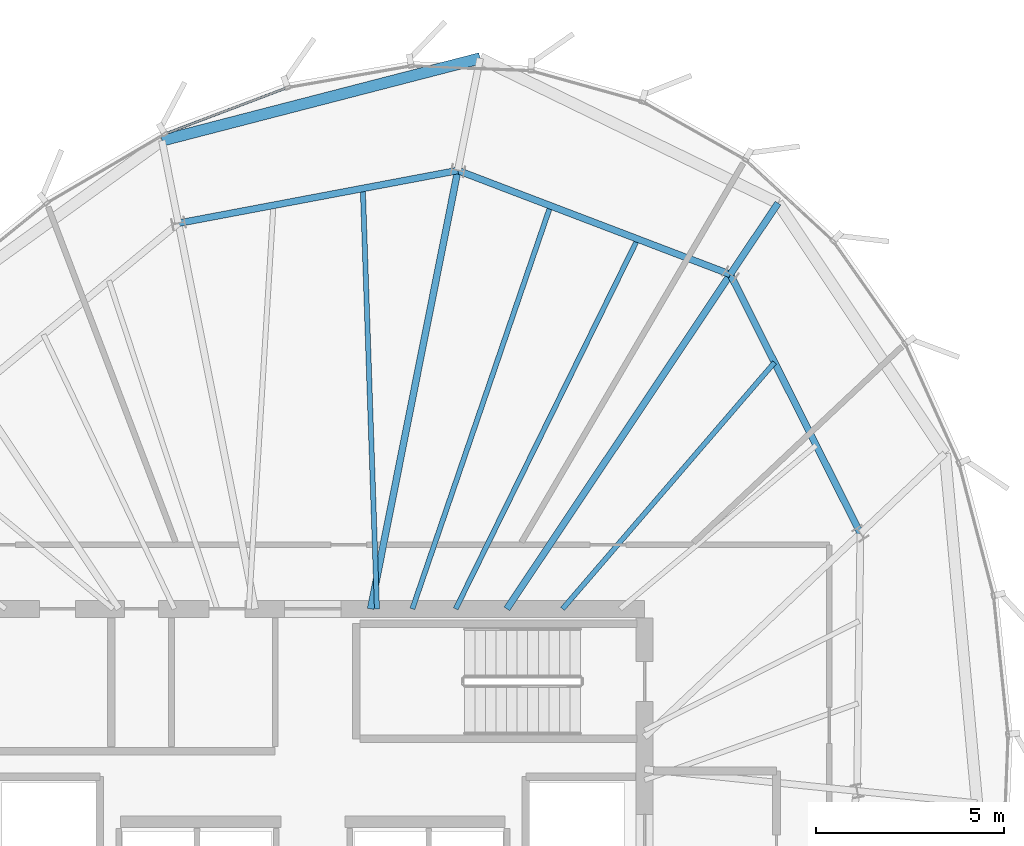
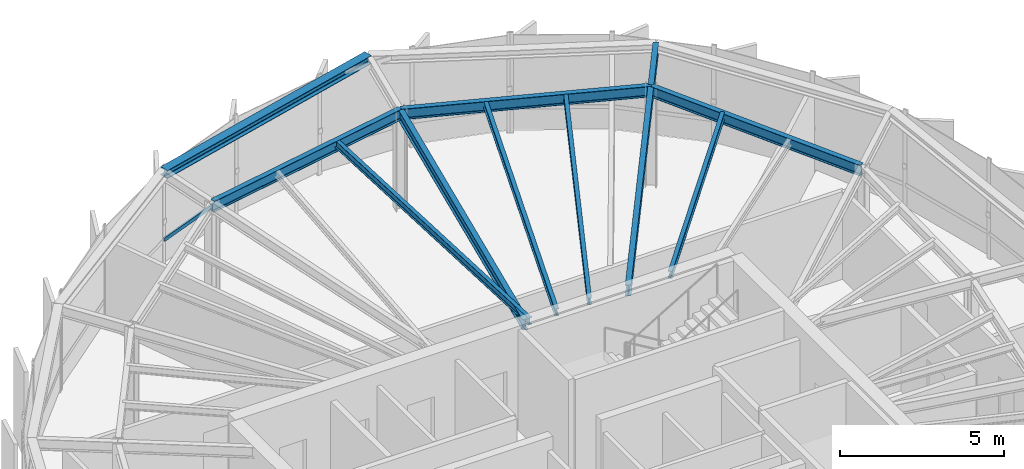
# One storey, part 16 of 25: 11 beams, 1 member, 1 element without a shape of its own.
"""IFC4 building model written with IfcOpenShell, lengths in metres."""

from ifc_helpers import new_model, si_unit, direction, frame, origin, origin_2d, place, context, subcontext, project, spatial, hollow_rectangle, i_section, extrude, source, transform, mapped, material, layer, layer_set, material_profile, profile_set, type_object, element, aggregate, save


model = new_model("IFC4")

# Units and contexts
model_context = context("Model", 3, precision=1e-05, world=origin(), true_north=direction((0.0, 1.0)))
body_context = subcontext(model_context, "Body", "Model", "MODEL_VIEW")
ifc_project = project(units=[si_unit("LENGTHUNIT", "METRE"), si_unit("AREAUNIT", "SQUARE_METRE"), si_unit("VOLUMEUNIT", "CUBIC_METRE"), si_unit("PLANEANGLEUNIT", "RADIAN"), si_unit("MASSUNIT", "GRAM", prefix="KILO"), si_unit("THERMODYNAMICTEMPERATUREUNIT", "KELVIN")], contexts=[model_context])

# Site, building, storey
site_placement = place(None, origin())
site = spatial("IfcSite", under=ifc_project, at=site_placement, CompositionType="ELEMENT")
building_placement = place(site_placement, origin())
building = spatial("IfcBuilding", under=site, at=building_placement, Name="Kethvar Cultural Tower", CompositionType="ELEMENT")
storey_placement = place(building_placement, frame((0.0, 0.0, 304.300048828125)))
storey = spatial("IfcBuildingStorey", under=building, at=storey_placement, Name="L81", CompositionType="ELEMENT", Elevation=304.300048828125)

# Beams
ifc_material_1 = material(Name="Steel S355J2", Category="steel")
ifc_material_profile_1 = material_profile(ifc_material_1, i_section(OverallWidth=0.135009765625, OverallDepth=0.27001953125, WebThickness=0.006591796875, FlangeThickness=0.01025390625, FilletRadius=0.014892578125, at=origin_2d()), Name="Steel S355J2 — IPE270")
ifc_profile_set_1 = profile_set([ifc_material_profile_1], Name="Steel S355J2 — IPE270")
beam_type_1 = type_object("IfcBeamType", Name="BM-J270", PredefinedType="JOIST", material=ifc_profile_set_1)
shared_shape_1 = source(origin(), body_context, "Body", "SweptSolid", [
    extrude(i_section(OverallWidth=0.135009765625, OverallDepth=0.27001953125, WebThickness=0.006591796875, FlangeThickness=0.01025390625, FilletRadius=0.014892578125, at=origin_2d()), origin(), (0.0, 0.0, 1.0), 8.6259765625),
])
beam_1_placement = place(storey_placement, frame((53.42333984375, 35.5, 3.597900390625), z_axis=(0.65210499689, 0.758128665222, 0.0), x_axis=(-0.758128665222, 0.65210499689, 0.0)))
element("IfcBeam", 1, at=beam_1_placement, inside=storey, type_object=beam_type_1, Name="L81 Composite Floor Joist J-02B", PredefinedType="JOIST", context=body_context, shape_type="MappedRepresentation", body=[
    mapped(shared_shape_1, transform((0.0, 0.0, 0.0), scale=1.0)),
])
shared_shape_2 = source(origin(), body_context, "Body", "SweptSolid", [
    extrude(i_section(OverallWidth=0.135009765625, OverallDepth=0.27001953125, WebThickness=0.006591796875, FlangeThickness=0.01025390625, FilletRadius=0.014892578125, at=origin_2d()), origin(), (0.0, 0.0, 1.0), 10.935791015625),
])
beam_2_placement = place(storey_placement, frame((50.5888671875, 35.5, 3.597900390625), z_axis=(0.441498236677, 0.897262117227, 0.0), x_axis=(-0.897262117227, 0.441498236677, 0.0)))
element("IfcBeam", 2, at=beam_2_placement, inside=storey, type_object=beam_type_1, Name="L81 Composite Floor Joist J-03A", PredefinedType="JOIST", context=body_context, shape_type="MappedRepresentation", body=[
    mapped(shared_shape_2, transform((0.0, 0.0, 0.0), scale=1.0)),
])
shared_shape_3 = source(origin(), body_context, "Body", "SweptSolid", [
    extrude(i_section(OverallWidth=0.135009765625, OverallDepth=0.27001953125, WebThickness=0.006591796875, FlangeThickness=0.01025390625, FilletRadius=0.014892578125, at=origin_2d()), origin(), (0.0, 0.0, 1.0), 11.304931640625),
])
beam_3_placement = place(storey_placement, frame((49.438720703125, 35.5, 3.597900390625), z_axis=(0.324179110764, 0.945995720997, 0.0), x_axis=(-0.945995720997, 0.324179110764, 0.0)))
element("IfcBeam", 3, at=beam_3_placement, inside=storey, type_object=beam_type_1, Name="L81 Composite Floor Joist J-03B", PredefinedType="JOIST", context=body_context, shape_type="MappedRepresentation", body=[
    mapped(shared_shape_3, transform((0.0, 0.0, 0.0), scale=1.0)),
])
shared_shape_4 = source(origin(), body_context, "Body", "SweptSolid", [
    extrude(i_section(OverallWidth=0.135009765625, OverallDepth=0.27001953125, WebThickness=0.006591796875, FlangeThickness=0.01025390625, FilletRadius=0.014892578125, at=origin_2d()), origin(), (0.0, 0.0, 1.0), 11.162109375),
])
beam_4_placement = place(storey_placement, frame((48.5, 35.5, 3.597900390625), z_axis=(-0.0335959409, 0.999435497046, 0.0), x_axis=(-0.999435497046, -0.0335959409, 0.0)))
element("IfcBeam", 4, at=beam_4_placement, inside=storey, type_object=beam_type_1, Name="L81 Composite Floor Joist J-04A", PredefinedType="JOIST", context=body_context, shape_type="MappedRepresentation", body=[
    mapped(shared_shape_4, transform((0.0, 0.0, 0.0), scale=1.0)),
])
ifc_material_profile_2 = material_profile(ifc_material_1, i_section(OverallWidth=0.179931640625, OverallDepth=0.39990234375, WebThickness=0.008544921875, FlangeThickness=0.013427734375, FilletRadius=0.02099609375, at=origin_2d()), Name="Steel S355J2 — IPE400")
ifc_profile_set_2 = profile_set([ifc_material_profile_2], Name="Steel S355J2 — IPE400")
beam_type_2 = type_object("IfcBeamType", Name="BM-IPE400", PredefinedType="BEAM", material=ifc_profile_set_2)
shared_shape_5 = source(origin(), body_context, "Body", "SweptSolid", [
    extrude(i_section(OverallWidth=0.179931640625, OverallDepth=0.39990234375, WebThickness=0.008544921875, FlangeThickness=0.013427734375, FilletRadius=0.02099609375, at=origin_2d()), origin(), (0.0, 0.0, 1.0), 10.673828125),
])
beam_5_placement = place(storey_placement, frame((51.945068359375, 35.5, 3.532958984375), z_axis=(0.555576086183, 0.831465701314, 0.0), x_axis=(-0.831465701314, 0.555576086183, 0.0)))
element("IfcBeam", 5, at=beam_5_placement, inside=storey, type_object=beam_type_2, Name="L81 Primary Radial Beam RB-03", PredefinedType="BEAM", context=body_context, shape_type="MappedRepresentation", body=[
    mapped(shared_shape_5, transform((0.0, 0.0, 0.0), scale=1.0)),
])
shared_shape_6 = source(origin(), body_context, "Body", "SweptSolid", [
    extrude(i_section(OverallWidth=0.179931640625, OverallDepth=0.39990234375, WebThickness=0.008544921875, FlangeThickness=0.013427734375, FilletRadius=0.02099609375, at=origin_2d()), origin(), (0.0, 0.0, 1.0), 2.275146484375),
])
beam_6_placement = place(storey_placement, frame((57.875244140625, 44.375, 3.532958984375), z_axis=(0.555517096247, 0.831505114703, 0.0), x_axis=(-0.831505114703, 0.555517096247, 0.0)))
element("IfcBeam", 6, at=beam_6_placement, inside=storey, type_object=beam_type_2, Name="L81 Perimeter Cantilever Beam RC-03", PredefinedType="BEAM", context=body_context, shape_type="MappedRepresentation", body=[
    mapped(shared_shape_6, transform((0.0, 0.0, 0.0), scale=1.0)),
])
shared_shape_7 = source(origin(), body_context, "Body", "SweptSolid", [
    extrude(i_section(OverallWidth=0.179931640625, OverallDepth=0.39990234375, WebThickness=0.008544921875, FlangeThickness=0.013427734375, FilletRadius=0.02099609375, at=origin_2d()), origin(), (0.0, 0.0, 1.0), 11.859375),
])
beam_7_placement = place(storey_placement, frame((48.33154296875, 35.5, 3.532958984375), z_axis=(0.195094640585, 0.980784421377, 0.0), x_axis=(-0.980784421377, 0.195094640585, 0.0)))
element("IfcBeam", 7, at=beam_7_placement, inside=storey, type_object=beam_type_2, Name="L81 Primary Radial Beam RB-04", PredefinedType="BEAM", context=body_context, shape_type="MappedRepresentation", body=[
    mapped(shared_shape_7, transform((0.0, 0.0, 0.0), scale=1.0)),
])
shared_shape_8 = source(origin(), body_context, "Body", "SweptSolid", [
    extrude(i_section(OverallWidth=0.179931640625, OverallDepth=0.39990234375, WebThickness=0.008544921875, FlangeThickness=0.013427734375, FilletRadius=0.02099609375, at=origin_2d()), origin(), (0.0, 0.0, 1.0), 7.68701171875),
])
beam_8_placement = place(storey_placement, frame((61.32568359375, 37.505859375, 3.532958984375), z_axis=(-0.448864354142, 0.893599905763, 0.0), x_axis=(-0.893599905763, -0.448864354142, 0.0)))
element("IfcBeam", 8, at=beam_8_placement, inside=storey, type_object=beam_type_2, Name="L81 Column Ring Tie Beam CR-02", PredefinedType="BEAM", context=body_context, shape_type="MappedRepresentation", body=[
    mapped(shared_shape_8, transform((0.0, 0.0, 0.0), scale=1.0)),
])
shared_shape_9 = source(origin(), body_context, "Body", "SweptSolid", [
    extrude(i_section(OverallWidth=0.179931640625, OverallDepth=0.39990234375, WebThickness=0.008544921875, FlangeThickness=0.013427734375, FilletRadius=0.02099609375, at=origin_2d()), origin(), (0.0, 0.0, 1.0), 7.737548828125),
])
beam_9_placement = place(storey_placement, frame((57.875244140625, 44.375, 3.532958984375), z_axis=(-0.934388230776, 0.356256416347, 0.0), x_axis=(-0.356256416347, -0.934388230776, 0.0)))
element("IfcBeam", 9, at=beam_9_placement, inside=storey, type_object=beam_type_2, Name="L81 Column Ring Tie Beam CR-03", PredefinedType="BEAM", context=body_context, shape_type="MappedRepresentation", body=[
    mapped(shared_shape_9, transform((0.0, 0.0, 0.0), scale=1.0)),
])
shared_shape_10 = source(origin(), body_context, "Body", "SweptSolid", [
    extrude(i_section(OverallWidth=0.179931640625, OverallDepth=0.39990234375, WebThickness=0.008544921875, FlangeThickness=0.013427734375, FilletRadius=0.02099609375, at=origin_2d()), origin(), (0.0, 0.0, 1.0), 7.543212890625),
])
beam_10_placement = place(storey_placement, frame((50.645263671875, 47.131591796875, 3.532958984375), z_axis=(-0.982646853086, -0.185486285532, 0.0), x_axis=(0.185486285532, -0.982646853086, 0.0)))
element("IfcBeam", 10, at=beam_10_placement, inside=storey, type_object=beam_type_2, Name="L81 Column Ring Tie Beam CR-04", PredefinedType="BEAM", context=body_context, shape_type="MappedRepresentation", body=[
    mapped(shared_shape_10, transform((0.0, 0.0, 0.0), scale=1.0)),
])
ifc_material_profile_3 = material_profile(ifc_material_1, i_section(OverallWidth=0.300048828125, OverallDepth=0.300048828125, WebThickness=0.010986328125, FlangeThickness=0.01904296875, FilletRadius=0.027099609375, at=origin_2d()), Name="Steel S355J2 — HEB300")
ifc_profile_set_3 = profile_set([ifc_material_profile_3], Name="Steel S355J2 — HEB300")
beam_type_3 = type_object("IfcBeamType", Name="BM-SP300", PredefinedType="SPANDREL", material=ifc_profile_set_3)
shared_shape_11 = source(origin(), body_context, "Body", "SweptSolid", [
    extrude(i_section(OverallWidth=0.300048828125, OverallDepth=0.300048828125, WebThickness=0.010986328125, FlangeThickness=0.01904296875, FilletRadius=0.027099609375, at=origin_2d()), origin(), (0.0, 0.0, 1.0), 8.71875),
])
beam_11_placement = place(storey_placement, frame((51.237548828125, 50.109130859375, 3.5830078125), z_axis=(-0.968137080168, -0.250420833804, 0.0), x_axis=(0.250420833804, -0.968137080168, 0.0)))
element("IfcBeam", 11, at=beam_11_placement, inside=storey, type_object=beam_type_3, Name="L81 Perimeter Spandrel Beam SP-04", PredefinedType="SPANDREL", context=body_context, shape_type="MappedRepresentation", body=[
    mapped(shared_shape_11, transform((0.0, 0.0, 0.0), scale=1.0)),
])

# Curtain wall, member
ifc_material_2 = material(Name="Aluminium 6063-T6", Category="aluminium")
ifc_layer = layer(ifc_material_2, 0.179931640625, Name="Aluminium 6063-T6", Category="aluminium")
ifc_layer_set = layer_set([ifc_layer], Name="Aluminium 6063-T6 (180 mm)")
curtain_wall_type = type_object("IfcCurtainWallType", Name="CW-SYS-06-CROWN", PredefinedType="NOTDEFINED", material=ifc_layer_set)
curtain_wall_placement = place(storey_placement, origin())
curtain_wall = element("IfcCurtainWall", 12, at=curtain_wall_placement, inside=storey, type_object=curtain_wall_type, Name="L81 Curtain Wall Run 01", PredefinedType="NOTDEFINED")
ifc_material_profile_4 = material_profile(ifc_material_2, hollow_rectangle(XDim=0.06005859375, YDim=0.139892578125, WallThickness=0.0048828125, at=origin_2d()), Name="Aluminium 6063-T6 — RHS140x60x5")
ifc_profile_set_4 = profile_set([ifc_material_profile_4], Name="Aluminium 6063-T6 — RHS140x60x5")
member_type = type_object("IfcMemberType", Name="CW-SYS-06-CROWN-TRN", PredefinedType="USERDEFINED", material=ifc_profile_set_4)
shared_shape_12 = source(origin(), body_context, "Body", "SweptSolid", [
    extrude(hollow_rectangle(XDim=0.06005859375, YDim=0.139892578125, WallThickness=0.0048828125, at=origin_2d()), origin(), (0.0, 0.0, 1.0), 3.412109375),
])
member_placement = place(storey_placement, frame((46.088134765625, 49.31884765625, 0.949951171875), z_axis=(-0.935121013122, -0.354328506923, 0.0), x_axis=(0.354328506923, -0.935121013122, 0.0)))
member = element("IfcMember", 13, at=member_placement, type_object=member_type, Name="CW-L81-R01 Transom 4", ObjectType="TRANSOM", PredefinedType="USERDEFINED", context=body_context, shape_type="MappedRepresentation", body=[
    mapped(shared_shape_12, transform((0.0, 0.0, 0.0), scale=1.0)),
])
aggregate(curtain_wall, [member])

save(model, "model.ifc")
